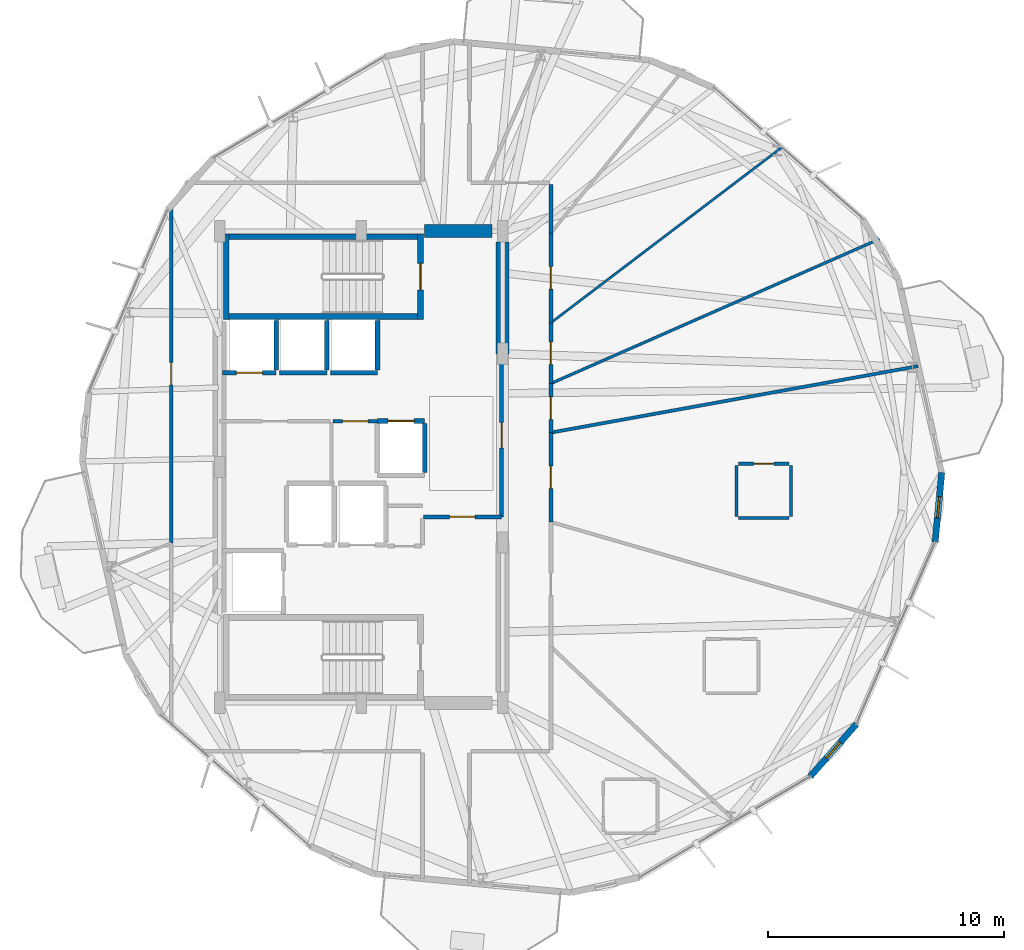
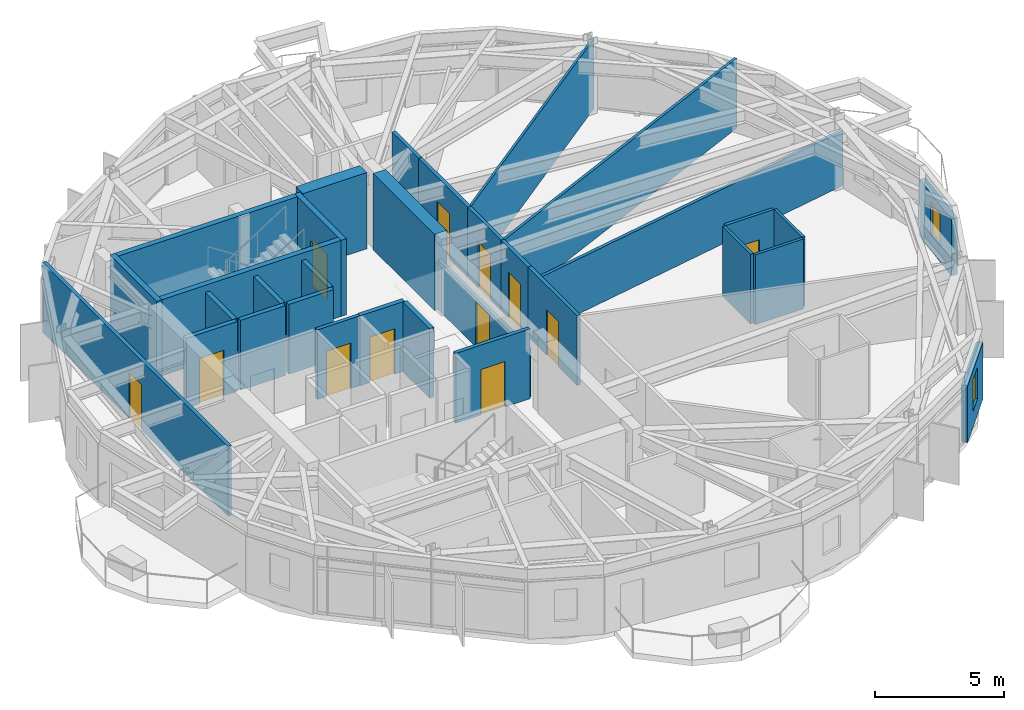
# One storey, part 17 of 21: 32 walls, 12 doors, 2 windows, 14 openings.
"""IFC4 building model written with IfcOpenShell, lengths in metres."""

from ifc_helpers import new_model, si_unit, direction, frame, frame_2d, origin, place, context, subcontext, project, spatial, rectangle, extrude, material, layer, layer_set, type_object, element, fill, save


model = new_model("IFC4")

# Units and contexts
model_context = context("Model", 3, precision=1e-05, world=origin(), true_north=direction((0.0, 1.0)))
body_context = subcontext(model_context, "Body", "Model", "MODEL_VIEW")
ifc_project = project(units=[si_unit("LENGTHUNIT", "METRE"), si_unit("AREAUNIT", "SQUARE_METRE"), si_unit("VOLUMEUNIT", "CUBIC_METRE"), si_unit("PLANEANGLEUNIT", "RADIAN"), si_unit("MASSUNIT", "GRAM", prefix="KILO")], contexts=[model_context])

# Site, building, storey
site_placement = place(None, origin())
site = spatial("IfcSite", under=ifc_project, at=site_placement, CompositionType="ELEMENT")
building_placement = place(site_placement, origin())
building = spatial("IfcBuilding", under=site, at=building_placement, Name="Soratama Intermodal Tower", CompositionType="ELEMENT")
storey_placement = place(building_placement, frame((0.0, 0.0, 146.199951171875)))
storey = spatial("IfcBuildingStorey", under=building, at=storey_placement, Name="L35", CompositionType="ELEMENT", Elevation=146.199951171875)

# Wall, opening, window
ifc_material_1 = material(Name="Concrete f'c 42 MPa", Category="concrete")
ifc_layer_1 = layer(ifc_material_1, 0.27001953125)
ifc_layer_set_1 = layer_set([ifc_layer_1], Name="Concrete f'c 42 MPa")
wall_type_1 = type_object("IfcWallType", Name="EW-CRN-270", PredefinedType="SOLIDWALL", material=ifc_layer_set_1)
wall_1_placement = place(storey_placement, frame((57.64453125, 11.875, 0.0), z_axis=(0.0, 0.0, 1.0), x_axis=(0.661354843955, 0.750073176681, 0.0)))
wall_1 = element("IfcWall", 1, at=wall_1_placement, inside=storey, type_object=wall_type_1, Name="L35 Corner Closure Wall 08", PredefinedType="SOLIDWALL", context=body_context, shape_type="SweptSolid", body=[
    extrude(rectangle(XDim=2.966552734375, YDim=0.27001953125, at=frame_2d((1.4833984375, 0.0))), origin(), (0.0, 0.0, 1.0), 2.678955078125),
])
opening_1_placement = place(wall_1_placement, frame((1.033203125, 0.0, 0.75)))
opening_1 = element("IfcOpeningElement", 2, at=opening_1_placement, cuts=wall_1, Name="Opening WN-6", PredefinedType="OPENING", context=body_context, shape_type="SweptSolid", body=[
    extrude(rectangle(XDim=0.89990234375, YDim=1.5, at=frame_2d((0.449951171875, 0.75))), frame((0.0, 0.14501953125, 0.0), z_axis=(0.0, -1.0, 0.0), x_axis=(1.0, 0.0, 0.0)), (0.0, 0.0, 1.0), 0.2900390625),
])
ifc_material_2 = material(Name="Double-glazed aluminium window", Category="aluminium")
window_type = type_object("IfcWindowType", Name="WN-FAC-900", PartitioningType="SINGLE_PANEL", PredefinedType="WINDOW", material=ifc_material_2)
window_1_placement = place(opening_1_placement, origin())
window_1 = element("IfcWindow", 3, at=window_1_placement, inside=storey, type_object=window_type, Name="L35 Corner Window 08", OverallHeight=1.5, OverallWidth=0.89990234375, PartitioningType="SINGLE_PANEL", PredefinedType="WINDOW", context=body_context, shape_type="SweptSolid", body=[
    extrude(rectangle(XDim=0.89990234375, YDim=1.5, at=frame_2d((0.449951171875, 0.75))), frame((0.0, 0.030029296875, 0.0), z_axis=(0.0, -1.0, 0.0), x_axis=(1.0, 0.0, 0.0)), (0.0, 0.0, 1.0), 0.06005859375),
])
fill(opening_1, window_1)

wall_2_placement = place(storey_placement, frame((62.9443359375, 21.81396484375, 0.0), z_axis=(0.0, 0.0, 1.0), x_axis=(0.094148838896, 0.995558132976, 0.0)))
wall_2 = element("IfcWall", 4, at=wall_2_placement, inside=storey, type_object=wall_type_1, Name="L35 Corner Closure Wall 09", PredefinedType="SOLIDWALL", context=body_context, shape_type="SweptSolid", body=[
    extrude(rectangle(XDim=2.966552734375, YDim=0.27001953125, at=frame_2d((1.4833984375, 0.0))), origin(), (0.0, 0.0, 1.0), 2.678955078125),
])
opening_2_placement = place(wall_2_placement, frame((1.033203125, 0.0, 0.75)))
opening_2 = element("IfcOpeningElement", 5, at=opening_2_placement, cuts=wall_2, Name="Opening WN-6", PredefinedType="OPENING", context=body_context, shape_type="SweptSolid", body=[
    extrude(rectangle(XDim=0.89990234375, YDim=1.5, at=frame_2d((0.449951171875, 0.75))), frame((0.0, 0.14501953125, 0.0), z_axis=(0.0, -1.0, 0.0), x_axis=(1.0, 0.0, 0.0)), (0.0, 0.0, 1.0), 0.2900390625),
])
window_2_placement = place(opening_2_placement, origin())
window_2 = element("IfcWindow", 6, at=window_2_placement, inside=storey, type_object=window_type, Name="L35 Corner Window 09", OverallHeight=1.5, OverallWidth=0.89990234375, PartitioningType="SINGLE_PANEL", PredefinedType="WINDOW", context=body_context, shape_type="SweptSolid", body=[
    extrude(rectangle(XDim=0.89990234375, YDim=1.5, at=frame_2d((0.449951171875, 0.75))), frame((0.0, 0.030029296875, 0.0), z_axis=(0.0, -1.0, 0.0), x_axis=(1.0, 0.0, 0.0)), (0.0, 0.0, 1.0), 0.06005859375),
])
fill(opening_2, window_2)

# Wall, opening, door
ifc_material_3 = material(Name="Fire-rated gypsum stud partition", Category="concrete")
ifc_layer_2 = layer(ifc_material_3, 0.159912109375)
ifc_layer_set_2 = layer_set([ifc_layer_2], Name="Fire-rated gypsum stud partition")
wall_type_2 = type_object("IfcWallType", Name="IW-PART-R160", PredefinedType="PARTITIONING", material=ifc_layer_set_2)
wall_3_placement = place(storey_placement, frame((30.550048828125, 21.778076171875, 0.0), z_axis=(0.0, 0.0, 1.0), x_axis=(0.0, 1.0, 0.0)))
wall_3 = element("IfcWall", 7, at=wall_3_placement, inside=storey, type_object=wall_type_2, Name="L35 Partition W-L35-TP004", PredefinedType="PARTITIONING", context=body_context, shape_type="SweptSolid", body=[
    extrude(rectangle(XDim=14.367919921875, YDim=0.159912109375, at=frame_2d((7.18408203125, 0.0))), origin(), (0.0, 0.0, 1.0), 3.300048828125),
])
opening_3_placement = place(wall_3_placement, frame((6.708984375, 0.0, 0.0)))
opening_3 = element("IfcOpeningElement", 8, at=opening_3_placement, cuts=wall_3, Name="Opening ID-3", PredefinedType="OPENING", context=body_context, shape_type="SweptSolid", body=[
    extrude(rectangle(XDim=0.949951171875, YDim=2.14990234375, at=frame_2d((0.47509765625, 1.074951171875))), frame((0.0, 0.08984375, 0.0), z_axis=(0.0, -1.0, 0.0), x_axis=(1.0, 0.0, 0.0)), (0.0, 0.0, 1.0), 0.179931640625),
])
ifc_material_4 = material(Name="Solid hardwood acoustic door", Category="wood")
door_type_1 = type_object("IfcDoorType", Name="DR-ROOM-950", OperationType="NOTDEFINED", PredefinedType="DOOR", material=ifc_material_4)
door_1_placement = place(opening_3_placement, origin())
door_1 = element("IfcDoor", 9, at=door_1_placement, inside=storey, type_object=door_type_1, Name="L35 Door D-L35-TP001", OperationType="SINGLE_SWING_RIGHT", OverallHeight=2.14990234375, OverallWidth=0.949951171875, PredefinedType="DOOR", context=body_context, shape_type="SweptSolid", body=[
    extrude(rectangle(XDim=0.949951171875, YDim=2.14990234375, at=frame_2d((0.47509765625, 1.074951171875))), frame((0.0, 0.02490234375, 0.0), z_axis=(0.0, -1.0, 0.0), x_axis=(1.0, 0.0, 0.0)), (0.0, 0.0, 1.0), 0.050048828125),
])
fill(opening_3, door_1)

wall_4_placement = place(storey_placement, frame((44.56005859375, 29.800048828125, 0.0), z_axis=(0.0, 0.0, 1.0), x_axis=(0.0, -1.0, 0.0)))
wall_4 = element("IfcWall", 10, at=wall_4_placement, inside=storey, type_object=wall_type_2, Name="L35 Partition W-L35-TP010", PredefinedType="PARTITIONING", context=body_context, shape_type="SweptSolid", body=[
    extrude(rectangle(XDim=6.91015625, YDim=0.159912109375, at=frame_2d((3.455078125, 0.0))), origin(), (0.0, 0.0, 1.0), 2.340087890625),
])
opening_4_placement = place(wall_4_placement, frame((2.9150390625, 0.0, 0.0)))
opening_4 = element("IfcOpeningElement", 11, at=opening_4_placement, cuts=wall_4, Name="Opening ID-1", PredefinedType="OPENING", context=body_context, shape_type="SweptSolid", body=[
    extrude(rectangle(XDim=1.080078125, YDim=2.14990234375, at=frame_2d((0.5400390625, 1.074951171875))), frame((0.0, 0.08984375, 0.0), z_axis=(0.0, -1.0, 0.0), x_axis=(1.0, 0.0, 0.0)), (0.0, 0.0, 1.0), 0.179931640625),
])
ifc_material_5 = material(Name="Solid hardwood acoustic door", Category="wood")
door_type_2 = type_object("IfcDoorType", Name="DR-LOB-FD60", OperationType="NOTDEFINED", PredefinedType="DOOR", material=ifc_material_5)
door_2_placement = place(opening_4_placement, origin())
door_2 = element("IfcDoor", 12, at=door_2_placement, inside=storey, type_object=door_type_2, Name="L35 Door D-L35-TP004", OperationType="SINGLE_SWING_LEFT", OverallHeight=2.14990234375, OverallWidth=1.080078125, PredefinedType="DOOR", context=body_context, shape_type="SweptSolid", body=[
    extrude(rectangle(XDim=1.080078125, YDim=2.14990234375, at=frame_2d((0.5400390625, 1.074951171875))), frame((0.0, 0.02490234375, 0.0), z_axis=(0.0, -1.0, 0.0), x_axis=(1.0, 0.0, 0.0)), (0.0, 0.0, 1.0), 0.050048828125),
])
fill(opening_4, door_2)

wall_5_placement = place(storey_placement, frame((46.64990234375, 34.9208984375, 0.0), z_axis=(0.0, 0.0, 1.0), x_axis=(0.0, -1.0, 0.0)))
wall_5 = element("IfcWall", 13, at=wall_5_placement, inside=storey, type_object=wall_type_2, Name="L35 Partition W-L35-TP021", PredefinedType="PARTITIONING", context=body_context, shape_type="SweptSolid", body=[
    extrude(rectangle(XDim=3.805908203125, YDim=0.159912109375, at=frame_2d((1.90283203125, 0.0))), origin(), (0.0, 0.0, 1.0), 3.300048828125),
])
opening_5_placement = place(wall_5_placement, frame((1.427978515625, 0.0, 0.0)))
opening_5 = element("IfcOpeningElement", 14, at=opening_5_placement, cuts=wall_5, Name="Opening ID-3", PredefinedType="OPENING", context=body_context, shape_type="SweptSolid", body=[
    extrude(rectangle(XDim=0.949951171875, YDim=2.14990234375, at=frame_2d((0.47509765625, 1.074951171875))), frame((0.0, 0.08984375, 0.0), z_axis=(0.0, -1.0, 0.0), x_axis=(1.0, 0.0, 0.0)), (0.0, 0.0, 1.0), 0.179931640625),
])
door_3_placement = place(opening_5_placement, origin())
door_3 = element("IfcDoor", 15, at=door_3_placement, inside=storey, type_object=door_type_1, Name="L35 Door D-L35-TP010", OperationType="SINGLE_SWING_LEFT", OverallHeight=2.14990234375, OverallWidth=0.949951171875, PredefinedType="DOOR", context=body_context, shape_type="SweptSolid", body=[
    extrude(rectangle(XDim=0.949951171875, YDim=2.14990234375, at=frame_2d((0.47509765625, 1.074951171875))), frame((0.0, 0.02490234375, 0.0), z_axis=(0.0, -1.0, 0.0), x_axis=(1.0, 0.0, 0.0)), (0.0, 0.0, 1.0), 0.050048828125),
])
fill(opening_5, door_3)

wall_6_placement = place(storey_placement, frame((46.64990234375, 26.4580078125, 0.0), z_axis=(0.0, 0.0, 1.0), x_axis=(0.0, -1.0, 0.0)))
wall_6 = element("IfcWall", 16, at=wall_6_placement, inside=storey, type_object=wall_type_2, Name="L35 Partition W-L35-TP022", PredefinedType="PARTITIONING", context=body_context, shape_type="SweptSolid", body=[
    extrude(rectangle(XDim=3.7900390625, YDim=0.159912109375, at=frame_2d((1.89501953125, 0.0))), origin(), (0.0, 0.0, 1.0), 3.300048828125),
])
opening_6_placement = place(wall_6_placement, frame((1.419921875, 0.0, 0.0)))
opening_6 = element("IfcOpeningElement", 17, at=opening_6_placement, cuts=wall_6, Name="Opening ID-3", PredefinedType="OPENING", context=body_context, shape_type="SweptSolid", body=[
    extrude(rectangle(XDim=0.949951171875, YDim=2.14990234375, at=frame_2d((0.47509765625, 1.074951171875))), frame((0.0, 0.08984375, 0.0), z_axis=(0.0, -1.0, 0.0), x_axis=(1.0, 0.0, 0.0)), (0.0, 0.0, 1.0), 0.179931640625),
])
door_4_placement = place(opening_6_placement, origin())
door_4 = element("IfcDoor", 18, at=door_4_placement, inside=storey, type_object=door_type_1, Name="L35 Door D-L35-TP011", OperationType="SINGLE_SWING_RIGHT", OverallHeight=2.14990234375, OverallWidth=0.949951171875, PredefinedType="DOOR", context=body_context, shape_type="SweptSolid", body=[
    extrude(rectangle(XDim=0.949951171875, YDim=2.14990234375, at=frame_2d((0.47509765625, 1.074951171875))), frame((0.0, 0.02490234375, 0.0), z_axis=(0.0, -1.0, 0.0), x_axis=(1.0, 0.0, 0.0)), (0.0, 0.0, 1.0), 0.050048828125),
])
fill(opening_6, door_4)

wall_7_placement = place(storey_placement, frame((46.64990234375, 31.114990234375, 0.0), z_axis=(0.0, 0.0, 1.0), x_axis=(0.0, -1.0, 0.0)))
wall_7 = element("IfcWall", 19, at=wall_7_placement, inside=storey, type_object=wall_type_2, Name="L35 Partition W-L35-TP028", PredefinedType="PARTITIONING", context=body_context, shape_type="SweptSolid", body=[
    extrude(rectangle(XDim=2.573974609375, YDim=0.159912109375, at=frame_2d((1.287109375, 0.0))), origin(), (0.0, 0.0, 1.0), 3.300048828125),
])
opening_7_placement = place(wall_7_placement, frame((0.81201171875, 0.0, 0.0)))
opening_7 = element("IfcOpeningElement", 20, at=opening_7_placement, cuts=wall_7, Name="Opening ID-3", PredefinedType="OPENING", context=body_context, shape_type="SweptSolid", body=[
    extrude(rectangle(XDim=0.949951171875, YDim=2.14990234375, at=frame_2d((0.47509765625, 1.074951171875))), frame((0.0, 0.08984375, 0.0), z_axis=(0.0, -1.0, 0.0), x_axis=(1.0, 0.0, 0.0)), (0.0, 0.0, 1.0), 0.179931640625),
])
door_5_placement = place(opening_7_placement, origin())
door_5 = element("IfcDoor", 21, at=door_5_placement, inside=storey, type_object=door_type_1, Name="L35 Door D-L35-TP014", OperationType="SINGLE_SWING_LEFT", OverallHeight=2.14990234375, OverallWidth=0.949951171875, PredefinedType="DOOR", context=body_context, shape_type="SweptSolid", body=[
    extrude(rectangle(XDim=0.949951171875, YDim=2.14990234375, at=frame_2d((0.47509765625, 1.074951171875))), frame((0.0, 0.02490234375, 0.0), z_axis=(0.0, -1.0, 0.0), x_axis=(1.0, 0.0, 0.0)), (0.0, 0.0, 1.0), 0.050048828125),
])
fill(opening_7, door_5)

wall_8_placement = place(storey_placement, frame((46.64990234375, 28.541015625, 0.0), z_axis=(0.0, 0.0, 1.0), x_axis=(0.0, -1.0, 0.0)))
wall_8 = element("IfcWall", 22, at=wall_8_placement, inside=storey, type_object=wall_type_2, Name="L35 Partition W-L35-TP041", PredefinedType="PARTITIONING", context=body_context, shape_type="SweptSolid", body=[
    extrude(rectangle(XDim=2.0830078125, YDim=0.159912109375, at=frame_2d((1.04150390625, 0.0))), origin(), (0.0, 0.0, 1.0), 3.300048828125),
])
opening_8_placement = place(wall_8_placement, frame((0.56689453125, 0.0, 0.0)))
opening_8 = element("IfcOpeningElement", 23, at=opening_8_placement, cuts=wall_8, Name="Opening ID-3", PredefinedType="OPENING", context=body_context, shape_type="SweptSolid", body=[
    extrude(rectangle(XDim=0.949951171875, YDim=2.14990234375, at=frame_2d((0.47509765625, 1.074951171875))), frame((0.0, 0.08984375, 0.0), z_axis=(0.0, -1.0, 0.0), x_axis=(1.0, 0.0, 0.0)), (0.0, 0.0, 1.0), 0.179931640625),
])
door_6_placement = place(opening_8_placement, origin())
door_6 = element("IfcDoor", 24, at=door_6_placement, inside=storey, type_object=door_type_1, Name="L35 Door D-L35-TP018", OperationType="SINGLE_SWING_LEFT", OverallHeight=2.14990234375, OverallWidth=0.949951171875, PredefinedType="DOOR", context=body_context, shape_type="SweptSolid", body=[
    extrude(rectangle(XDim=0.949951171875, YDim=2.14990234375, at=frame_2d((0.47509765625, 1.074951171875))), frame((0.0, 0.02490234375, 0.0), z_axis=(0.0, -1.0, 0.0), x_axis=(1.0, 0.0, 0.0)), (0.0, 0.0, 1.0), 0.050048828125),
])
fill(opening_8, door_6)

# Wall
wall_9_placement = place(storey_placement, frame((46.64990234375, 36.97998046875, 0.0), z_axis=(0.0, 0.0, 1.0), x_axis=(0.0, -1.0, 0.0)))
element("IfcWall", 25, at=wall_9_placement, inside=storey, type_object=wall_type_2, Name="L35 Partition W-L35-TP042", PredefinedType="PARTITIONING", context=body_context, shape_type="SweptSolid", body=[
    extrude(rectangle(XDim=2.05908203125, YDim=0.159912109375, at=frame_2d((1.029541015625, 0.0))), origin(), (0.0, 0.0, 1.0), 3.300048828125),
])

# Wall, opening, door
wall_10_placement = place(storey_placement, frame((39.300048828125, 26.93994140625, 0.0), z_axis=(0.0, 0.0, 1.0), x_axis=(-1.0, 0.0, 0.0)))
wall_10 = element("IfcWall", 26, at=wall_10_placement, inside=storey, type_object=wall_type_2, Name="L35 Partition W-L35-TP043", PredefinedType="PARTITIONING", context=body_context, shape_type="SweptSolid", body=[
    extrude(rectangle(XDim=1.89013671875, YDim=0.159912109375, at=frame_2d((0.945068359375, 0.0))), origin(), (0.0, 0.0, 1.0), 3.300048828125),
])
opening_9_placement = place(wall_10_placement, frame((0.405029296875, 0.0, 0.0)))
opening_9 = element("IfcOpeningElement", 27, at=opening_9_placement, cuts=wall_10, Name="Opening ID-1", PredefinedType="OPENING", context=body_context, shape_type="SweptSolid", body=[
    extrude(rectangle(XDim=1.080078125, YDim=2.14990234375, at=frame_2d((0.5400390625, 1.074951171875))), frame((0.0, 0.08984375, 0.0), z_axis=(0.0, -1.0, 0.0), x_axis=(1.0, 0.0, 0.0)), (0.0, 0.0, 1.0), 0.179931640625),
])
door_7_placement = place(opening_9_placement, origin())
door_7 = element("IfcDoor", 28, at=door_7_placement, inside=storey, type_object=door_type_2, Name="L35 Door D-L35-TP019", OperationType="SINGLE_SWING_RIGHT", OverallHeight=2.14990234375, OverallWidth=1.080078125, PredefinedType="DOOR", context=body_context, shape_type="SweptSolid", body=[
    extrude(rectangle(XDim=1.080078125, YDim=2.14990234375, at=frame_2d((0.5400390625, 1.074951171875))), frame((0.0, 0.02490234375, 0.0), z_axis=(0.0, -1.0, 0.0), x_axis=(1.0, 0.0, 0.0)), (0.0, 0.0, 1.0), 0.050048828125),
])
fill(opening_9, door_7)

ifc_material_6 = material(Name="Fire-rated gypsum stud partition", Category="concrete")
ifc_layer_3 = layer(ifc_material_6, 0.169921875)
ifc_layer_set_3 = layer_set([ifc_layer_3], Name="Fire-rated gypsum stud partition")
wall_type_3 = type_object("IfcWallType", Name="IW-PART-R170", PredefinedType="PARTITIONING", material=ifc_layer_set_3)
wall_11_placement = place(storey_placement, frame((41.239990234375, 22.889892578125, 0.0), z_axis=(0.0, 0.0, 1.0), x_axis=(1.0, 0.0, 0.0)))
wall_11 = element("IfcWall", 29, at=wall_11_placement, inside=storey, type_object=wall_type_3, Name="L35 Partition W-L35-TP023", PredefinedType="PARTITIONING", context=body_context, shape_type="SweptSolid", body=[
    extrude(rectangle(XDim=3.320068359375, YDim=0.169921875, at=frame_2d((1.66015625, 0.0))), origin(), (0.0, 0.0, 1.0), 3.300048828125),
])
opening_10_placement = place(wall_11_placement, frame((1.1201171875, 0.0, 0.0)))
opening_10 = element("IfcOpeningElement", 30, at=opening_10_placement, cuts=wall_11, Name="Opening ID-0", PredefinedType="OPENING", context=body_context, shape_type="SweptSolid", body=[
    extrude(rectangle(XDim=1.080078125, YDim=2.14990234375, at=frame_2d((0.5400390625, 1.074951171875))), frame((0.0, 0.094970703125, 0.0), z_axis=(0.0, -1.0, 0.0), x_axis=(1.0, 0.0, 0.0)), (0.0, 0.0, 1.0), 0.18994140625),
])
ifc_material_7 = material(Name="Solid hardwood acoustic door", Category="wood")
door_type_3 = type_object("IfcDoorType", Name="DR-LOB-FD90", OperationType="NOTDEFINED", PredefinedType="DOOR", material=ifc_material_7)
door_8_placement = place(opening_10_placement, origin())
door_8 = element("IfcDoor", 31, at=door_8_placement, inside=storey, type_object=door_type_3, Name="L35 Door D-L35-TP012", OperationType="SINGLE_SWING_LEFT", OverallHeight=2.14990234375, OverallWidth=1.080078125, PredefinedType="DOOR", context=body_context, shape_type="SweptSolid", body=[
    extrude(rectangle(XDim=1.080078125, YDim=2.14990234375, at=frame_2d((0.5400390625, 1.074951171875))), frame((0.0, 0.02490234375, 0.0), z_axis=(0.0, -1.0, 0.0), x_axis=(1.0, 0.0, 0.0)), (0.0, 0.0, 1.0), 0.050048828125),
])
fill(opening_10, door_8)

# Walls
ifc_material_8 = material(Name="Fire-rated gypsum stud partition", Category="concrete")
ifc_layer_4 = layer(ifc_material_8, 0.10009765625)
ifc_layer_set_4 = layer_set([ifc_layer_4], Name="Fire-rated gypsum stud partition")
wall_type_4 = type_object("IfcWallType", Name="IW-PART-S100", PredefinedType="PARTITIONING", material=ifc_layer_set_4)
wall_12_placement = place(storey_placement, frame((46.64990234375, 31.114990234375, 0.0), z_axis=(0.0, 0.0, 1.0), x_axis=(0.796314037098, 0.604883422092, 0.0)))
element("IfcWall", 32, at=wall_12_placement, inside=storey, type_object=wall_type_4, Name="L35 Partition W-L35-TP005", PredefinedType="PARTITIONING", context=body_context, shape_type="SweptSolid", body=[
    extrude(rectangle(XDim=12.298095703125, YDim=0.10009765625, at=frame_2d((6.14892578125, 0.0))), origin(), (0.0, 0.0, 1.0), 3.300048828125),
])
ifc_material_9 = material(Name="Fire-rated gypsum stud partition", Category="concrete")
ifc_layer_5 = layer(ifc_material_9, 0.1201171875)
ifc_layer_set_5 = layer_set([ifc_layer_5], Name="Fire-rated gypsum stud partition")
wall_type_5 = type_object("IfcWallType", Name="IW-PART-S120", PredefinedType="PARTITIONING", material=ifc_layer_set_5)
wall_13_placement = place(storey_placement, frame((46.64990234375, 28.541015625, 0.0), z_axis=(0.0, 0.0, 1.0), x_axis=(0.915386429194, 0.402576309844, 0.0)))
element("IfcWall", 33, at=wall_13_placement, inside=storey, type_object=wall_type_5, Name="L35 Partition W-L35-TP003", PredefinedType="PARTITIONING", context=body_context, shape_type="SweptSolid", body=[
    extrude(rectangle(XDim=15.22412109375, YDim=0.1201171875, at=frame_2d((7.612060546875, 0.0))), origin(), (0.0, 0.0, 1.0), 3.300048828125),
])
wall_14_placement = place(storey_placement, frame((56.824951171875, 22.902099609375, 0.0), z_axis=(0.0, 0.0, 1.0), x_axis=(0.0, 1.0, 0.0)))
element("IfcWall", 34, at=wall_14_placement, inside=storey, type_object=wall_type_5, Name="L35 Partition W-L35-TP038", PredefinedType="PARTITIONING", context=body_context, shape_type="SweptSolid", body=[
    extrude(rectangle(XDim=2.159912109375, YDim=0.1201171875, at=frame_2d((1.080078125, 0.0))), origin(), (0.0, 0.0, 1.0), 3.300048828125),
])
ifc_material_10 = material(Name="Fire-rated gypsum stud partition", Category="concrete")
ifc_layer_6 = layer(ifc_material_10, 0.1298828125)
ifc_layer_set_6 = layer_set([ifc_layer_6], Name="Fire-rated gypsum stud partition")
wall_type_6 = type_object("IfcWallType", Name="IW-PART-S130", PredefinedType="PARTITIONING", material=ifc_layer_set_6)
for number, where, z_axis, x_axis, name in (
    (35, (54.594970703125, 22.83203125, 0.0), (0.0, 0.0, 1.0), (1.0, 0.0, 0.0), "L35 Partition W-L35-TP032"),
    (36, (54.52490234375, 25.06201171875, 0.0), (0.0, 0.0, 1.0), (0.0, -1.0, 0.0), "L35 Partition W-L35-TP037"),
):
    element("IfcWall", number, at=place(storey_placement, frame(where, z_axis=z_axis, x_axis=x_axis)), inside=storey, type_object=wall_type_6, Name=name, PredefinedType="PARTITIONING", context=body_context, shape_type="SweptSolid", body=[
        extrude(rectangle(XDim=2.159912109375, YDim=0.1298828125, at=frame_2d((1.080078125, 0.0))), origin(), (0.0, 0.0, 1.0), 3.300048828125),
    ])
ifc_material_11 = material(Name="Fire-rated gypsum stud partition", Category="concrete")
ifc_layer_7 = layer(ifc_material_11, 0.139892578125)
ifc_layer_set_7 = layer_set([ifc_layer_7], Name="Fire-rated gypsum stud partition")
wall_type_7 = type_object("IfcWallType", Name="IW-PART-S140", PredefinedType="PARTITIONING", material=ifc_layer_set_7)
wall_15_placement = place(storey_placement, frame((62.216064453125, 29.27587890625, 0.0), z_axis=(0.0, 0.0, 1.0), x_axis=(-0.984006914284, -0.178130268741, 0.0)))
element("IfcWall", 37, at=wall_15_placement, inside=storey, type_object=wall_type_7, Name="L35 Partition W-L35-TP001", PredefinedType="PARTITIONING", context=body_context, shape_type="SweptSolid", body=[
    extrude(rectangle(XDim=15.819091796875, YDim=0.139892578125, at=frame_2d((7.90966796875, 0.0))), origin(), (0.0, 0.0, 1.0), 2.594970703125),
])

# Wall, opening, door
wall_16_placement = place(storey_placement, frame((56.7548828125, 25.132080078125, 0.0), z_axis=(0.0, 0.0, 1.0), x_axis=(-1.0, 0.0, 0.0)))
wall_16 = element("IfcWall", 38, at=wall_16_placement, inside=storey, type_object=wall_type_7, Name="L35 Partition W-L35-TP031", PredefinedType="PARTITIONING", context=body_context, shape_type="SweptSolid", body=[
    extrude(rectangle(XDim=2.159912109375, YDim=0.139892578125, at=frame_2d((1.080078125, 0.0))), origin(), (0.0, 0.0, 1.0), 3.300048828125),
])
opening_11_placement = place(wall_16_placement, frame((0.655029296875, 0.0, 0.0)))
opening_11 = element("IfcOpeningElement", 39, at=opening_11_placement, cuts=wall_16, Name="Opening ID-4", PredefinedType="OPENING", context=body_context, shape_type="SweptSolid", body=[
    extrude(rectangle(XDim=0.85009765625, YDim=2.10009765625, at=frame_2d((0.425048828125, 1.050048828125))), frame((0.0, 0.079833984375, 0.0), z_axis=(0.0, -1.0, 0.0), x_axis=(1.0, 0.0, 0.0)), (0.0, 0.0, 1.0), 0.159912109375),
])
ifc_material_12 = material(Name="Solid hardwood acoustic door", Category="wood")
door_type_4 = type_object("IfcDoorType", Name="DR-BATH-850", OperationType="NOTDEFINED", PredefinedType="DOOR", material=ifc_material_12)
door_9_placement = place(opening_11_placement, origin())
door_9 = element("IfcDoor", 40, at=door_9_placement, inside=storey, type_object=door_type_4, Name="L35 Door D-L35-TP016", OperationType="SINGLE_SWING_LEFT", OverallHeight=2.10009765625, OverallWidth=0.85009765625, PredefinedType="DOOR", context=body_context, shape_type="SweptSolid", body=[
    extrude(rectangle(XDim=0.85009765625, YDim=2.10009765625, at=frame_2d((0.425048828125, 1.050048828125))), frame((0.0, 0.02490234375, 0.0), z_axis=(0.0, -1.0, 0.0), x_axis=(1.0, 0.0, 0.0)), (0.0, 0.0, 1.0), 0.050048828125),
])
fill(opening_11, door_9)

ifc_material_13 = material(Name="Concrete f'c 42 MPa", Category="concrete")
ifc_layer_8 = layer(ifc_material_13, 0.199951171875)
ifc_layer_set_8 = layer_set([ifc_layer_8], Name="Concrete f'c 42 MPa")
wall_type_8 = type_object("IfcWallType", Name="IW-SHAFT-200", PredefinedType="SOLIDWALL", material=ifc_layer_set_8)
wall_17_placement = place(storey_placement, frame((39.300048828125, 26.949951171875, 0.0), z_axis=(0.0, 0.0, 1.0), x_axis=(1.0, 0.0, 0.0)))
wall_17 = element("IfcWall", 41, at=wall_17_placement, inside=storey, type_object=wall_type_8, Name="L35 PL-M1 Hoistway Wall N", PredefinedType="SOLIDWALL", context=body_context, shape_type="SweptSolid", body=[
    extrude(rectangle(XDim=2.0, YDim=0.199951171875, at=frame_2d((1.0, 0.0))), origin(), (0.0, 0.0, 1.0), 3.300048828125),
])
opening_12_placement = place(wall_17_placement, frame((0.449951171875, 0.0, 0.0)))
opening_12 = element("IfcOpeningElement", 42, at=opening_12_placement, cuts=wall_17, Name="Opening LD-1", PredefinedType="OPENING", context=body_context, shape_type="SweptSolid", body=[
    extrude(rectangle(XDim=1.10009765625, YDim=2.14990234375, at=frame_2d((0.550048828125, 1.074951171875))), frame((0.0, 0.10986328125, 0.0), z_axis=(0.0, -1.0, 0.0), x_axis=(1.0, 0.0, 0.0)), (0.0, 0.0, 1.0), 0.219970703125),
])
ifc_material_14 = material(Name="Steel fire door", Category="steel")
door_type_5 = type_object("IfcDoorType", Name="DR-LIFT-SLIDE", OperationType="NOTDEFINED", PredefinedType="DOOR", material=ifc_material_14)
door_10_placement = place(opening_12_placement, origin())
door_10 = element("IfcDoor", 43, at=door_10_placement, inside=storey, type_object=door_type_5, Name="L35 PL-M1 Sliding Landing Door", OperationType="SLIDING_TO_LEFT", OverallHeight=2.14990234375, OverallWidth=1.10009765625, PredefinedType="DOOR", context=body_context, shape_type="SweptSolid", body=[
    extrude(rectangle(XDim=1.10009765625, YDim=2.14990234375, at=frame_2d((0.550048828125, 1.074951171875))), frame((0.0, 0.02490234375, 0.0), z_axis=(0.0, -1.0, 0.0), x_axis=(1.0, 0.0, 0.0)), (0.0, 0.0, 1.0), 0.050048828125),
])
fill(opening_12, door_10)

# Wall
wall_18_placement = place(storey_placement, frame((41.300048828125, 24.760009765625, 0.0), z_axis=(0.0, 0.0, 1.0), x_axis=(0.0, 1.0, 0.0)))
element("IfcWall", 44, at=wall_18_placement, inside=storey, type_object=wall_type_8, Name="L35 PL-M1 Hoistway Wall E", PredefinedType="SOLIDWALL", context=body_context, shape_type="SweptSolid", body=[
    extrude(rectangle(XDim=2.080078125, YDim=0.199951171875, at=frame_2d((1.0400390625, 0.0))), origin(), (0.0, 0.0, 1.0), 3.300048828125),
])

# Wall, opening, door
wall_19_placement = place(storey_placement, frame((32.719970703125, 29.0, 0.0), z_axis=(0.0, 0.0, 1.0), x_axis=(1.0, 0.0, 0.0)))
wall_19 = element("IfcWall", 45, at=wall_19_placement, inside=storey, type_object=wall_type_8, Name="L35 PL-M2 Hoistway Wall S", PredefinedType="SOLIDWALL", context=body_context, shape_type="SweptSolid", body=[
    extrude(rectangle(XDim=2.280029296875, YDim=0.199951171875, at=frame_2d((1.14013671875, 0.0))), origin(), (0.0, 0.0, 1.0), 3.300048828125),
])
opening_13_placement = place(wall_19_placement, frame((0.590087890625, 0.0, 0.0)))
opening_13 = element("IfcOpeningElement", 46, at=opening_13_placement, cuts=wall_19, Name="Opening LD-1", PredefinedType="OPENING", context=body_context, shape_type="SweptSolid", body=[
    extrude(rectangle(XDim=1.10009765625, YDim=2.14990234375, at=frame_2d((0.550048828125, 1.074951171875))), frame((0.0, 0.10986328125, 0.0), z_axis=(0.0, -1.0, 0.0), x_axis=(1.0, 0.0, 0.0)), (0.0, 0.0, 1.0), 0.219970703125),
])
door_11_placement = place(opening_13_placement, origin())
door_11 = element("IfcDoor", 47, at=door_11_placement, inside=storey, type_object=door_type_5, Name="L35 PL-M2 Sliding Landing Door", OperationType="SLIDING_TO_LEFT", OverallHeight=2.14990234375, OverallWidth=1.10009765625, PredefinedType="DOOR", context=body_context, shape_type="SweptSolid", body=[
    extrude(rectangle(XDim=1.10009765625, YDim=2.14990234375, at=frame_2d((0.550048828125, 1.074951171875))), frame((0.0, 0.02490234375, 0.0), z_axis=(0.0, -1.0, 0.0), x_axis=(1.0, 0.0, 0.0)), (0.0, 0.0, 1.0), 0.050048828125),
])
fill(opening_13, door_11)

# Walls
wall_20_placement = place(storey_placement, frame((35.0, 29.110107421875, 0.0), z_axis=(0.0, 0.0, 1.0), x_axis=(0.0, 1.0, 0.0)))
element("IfcWall", 48, at=wall_20_placement, inside=storey, type_object=wall_type_8, Name="L35 PL-M2 Hoistway Wall E", PredefinedType="SOLIDWALL", context=body_context, shape_type="SweptSolid", body=[
    extrude(rectangle(XDim=2.099853515625, YDim=0.199951171875, at=frame_2d((1.0498046875, 0.0))), origin(), (0.0, 0.0, 1.0), 3.300048828125),
])
wall_21_placement = place(storey_placement, frame((35.14990234375, 29.0, 0.0), z_axis=(0.0, 0.0, 1.0), x_axis=(1.0, 0.0, 0.0)))
element("IfcWall", 49, at=wall_21_placement, inside=storey, type_object=wall_type_8, Name="L35 PL-H1 Hoistway Wall S", PredefinedType="SOLIDWALL", context=body_context, shape_type="SweptSolid", body=[
    extrude(rectangle(XDim=2.0, YDim=0.199951171875, at=frame_2d((1.0, 0.0))), origin(), (0.0, 0.0, 1.0), 3.300048828125),
])
wall_22_placement = place(storey_placement, frame((37.14990234375, 29.110107421875, 0.0), z_axis=(0.0, 0.0, 1.0), x_axis=(0.0, 1.0, 0.0)))
element("IfcWall", 50, at=wall_22_placement, inside=storey, type_object=wall_type_8, Name="L35 PL-H1 Hoistway Wall E", PredefinedType="SOLIDWALL", context=body_context, shape_type="SweptSolid", body=[
    extrude(rectangle(XDim=2.099853515625, YDim=0.199951171875, at=frame_2d((1.0498046875, 0.0))), origin(), (0.0, 0.0, 1.0), 3.300048828125),
])
wall_23_placement = place(storey_placement, frame((37.300048828125, 29.0, 0.0), z_axis=(0.0, 0.0, 1.0), x_axis=(1.0, 0.0, 0.0)))
element("IfcWall", 51, at=wall_23_placement, inside=storey, type_object=wall_type_8, Name="L35 PL-H2 Hoistway Wall S", PredefinedType="SOLIDWALL", context=body_context, shape_type="SweptSolid", body=[
    extrude(rectangle(XDim=2.0, YDim=0.199951171875, at=frame_2d((1.0, 0.0))), origin(), (0.0, 0.0, 1.0), 3.300048828125),
])
wall_24_placement = place(storey_placement, frame((39.300048828125, 29.110107421875, 0.0), z_axis=(0.0, 0.0, 1.0), x_axis=(0.0, 1.0, 0.0)))
element("IfcWall", 52, at=wall_24_placement, inside=storey, type_object=wall_type_8, Name="L35 PL-H2 Hoistway Wall E", PredefinedType="SOLIDWALL", context=body_context, shape_type="SweptSolid", body=[
    extrude(rectangle(XDim=2.099853515625, YDim=0.199951171875, at=frame_2d((1.0498046875, 0.0))), origin(), (0.0, 0.0, 1.0), 3.300048828125),
])
ifc_material_15 = material(Name="Concrete f'c 56 MPa", Category="concrete")
ifc_layer_9 = layer(ifc_material_15, 0.550048828125)
ifc_layer_set_9 = layer_set([ifc_layer_9], Name="Concrete f'c 56 MPa")
wall_type_9 = type_object("IfcWallType", Name="SW-CORE-550", PredefinedType="SHEAR", material=ifc_layer_set_9)
wall_25_placement = place(storey_placement, frame((41.300048828125, 35.0, 0.0), z_axis=(0.0, 0.0, 1.0), x_axis=(1.0, 0.0, 0.0)))
element("IfcWall", 53, at=wall_25_placement, inside=storey, type_object=wall_type_9, Name="L35 Core Shear Wall CW-NE", PredefinedType="SHEAR", context=body_context, shape_type="SweptSolid", body=[
    extrude(rectangle(XDim=2.849853515625, YDim=0.550048828125, at=frame_2d((1.4248046875, 0.0))), origin(), (0.0, 0.0, 1.0), 3.60009765625),
])
wall_26_placement = place(storey_placement, frame((44.60009765625, 29.800048828125, 0.0), z_axis=(0.0, 0.0, 1.0), x_axis=(0.0, 1.0, 0.0)))
element("IfcWall", 54, at=wall_26_placement, inside=storey, type_object=wall_type_9, Name="L35 Core Shear Wall CW-EN", PredefinedType="SHEAR", context=body_context, shape_type="SweptSolid", body=[
    extrude(rectangle(XDim=4.75, YDim=0.550048828125, at=frame_2d((2.375, 0.0))), origin(), (0.0, 0.0, 1.0), 3.60009765625),
])
ifc_material_16 = material(Name="Concrete f'c 56 MPa", Category="concrete")
ifc_layer_10 = layer(ifc_material_16, 0.239990234375)
ifc_layer_set_10 = layer_set([ifc_layer_10], Name="Concrete f'c 56 MPa")
wall_type_10 = type_object("IfcWallType", Name="SW-STAIR-240", PredefinedType="SHEAR", material=ifc_layer_set_10)
wall_27_placement = place(storey_placement, frame((32.8798828125, 31.260009765625, 0.0), z_axis=(0.0, 0.0, 1.0), x_axis=(0.0, 1.0, 0.0)))
element("IfcWall", 55, at=wall_27_placement, inside=storey, type_object=wall_type_10, Name="L35 ST-2 Shaft Shear Wall W", PredefinedType="SHEAR", context=body_context, shape_type="SweptSolid", body=[
    extrude(rectangle(XDim=3.6298828125, YDim=0.239990234375, at=frame_2d((1.81494140625, 0.0))), origin(), (0.0, 0.0, 1.0), 3.60009765625),
])

# Wall, opening, door
wall_28_placement = place(storey_placement, frame((41.1201171875, 31.260009765625, 0.0), z_axis=(0.0, 0.0, 1.0), x_axis=(0.0, 1.0, 0.0)))
wall_28 = element("IfcWall", 56, at=wall_28_placement, inside=storey, type_object=wall_type_10, Name="L35 ST-2 Shaft Shear Wall E", PredefinedType="SHEAR", context=body_context, shape_type="SweptSolid", body=[
    extrude(rectangle(XDim=3.6298828125, YDim=0.239990234375, at=frame_2d((1.81494140625, 0.0))), origin(), (0.0, 0.0, 1.0), 3.60009765625),
])
opening_14_placement = place(wall_28_placement, frame((1.2548828125, 0.0, 0.0)))
opening_14 = element("IfcOpeningElement", 57, at=opening_14_placement, cuts=wall_28, Name="Opening SD-1", PredefinedType="OPENING", context=body_context, shape_type="SweptSolid", body=[
    extrude(rectangle(XDim=1.1201171875, YDim=2.14990234375, at=frame_2d((0.56005859375, 1.074951171875))), frame((0.0, 0.1298828125, 0.0), z_axis=(0.0, -1.0, 0.0), x_axis=(1.0, 0.0, 0.0)), (0.0, 0.0, 1.0), 0.260009765625),
])
ifc_material_17 = material(Name="Steel fire door", Category="steel")
door_type_6 = type_object("IfcDoorType", Name="DR-STAIR-FD90", OperationType="NOTDEFINED", PredefinedType="DOOR", material=ifc_material_17)
door_12_placement = place(opening_14_placement, origin())
door_12 = element("IfcDoor", 58, at=door_12_placement, inside=storey, type_object=door_type_6, Name="L35 ST-2 Exit Stair Door", OperationType="SINGLE_SWING_RIGHT", OverallHeight=2.14990234375, OverallWidth=1.1201171875, PredefinedType="DOOR", context=body_context, shape_type="SweptSolid", body=[
    extrude(rectangle(XDim=1.1201171875, YDim=2.14990234375, at=frame_2d((0.56005859375, 1.074951171875))), frame((0.0, 0.02490234375, 0.0), z_axis=(0.0, -1.0, 0.0), x_axis=(1.0, 0.0, 0.0)), (0.0, 0.0, 1.0), 0.050048828125),
])
fill(opening_14, door_12)

# Walls
for number, where, z_axis, x_axis, name in (
    (59, (33.0, 31.3798828125, 0.0), (0.0, 0.0, 1.0), (1.0, 0.0, 0.0), "L35 ST-2 Shaft Shear Wall S"),
    (60, (33.0, 34.77001953125, 0.0), (0.0, 0.0, 1.0), (1.0, 0.0, 0.0), "L35 ST-2 Shaft Shear Wall N"),
):
    element("IfcWall", number, at=place(storey_placement, frame(where, z_axis=z_axis, x_axis=x_axis)), inside=storey, type_object=wall_type_10, Name=name, PredefinedType="SHEAR", context=body_context, shape_type="SweptSolid", body=[
        extrude(rectangle(XDim=8.0, YDim=0.239990234375, at=frame_2d((4.0, 0.0))), origin(), (0.0, 0.0, 1.0), 3.60009765625),
    ])

save(model, "model.ifc")
